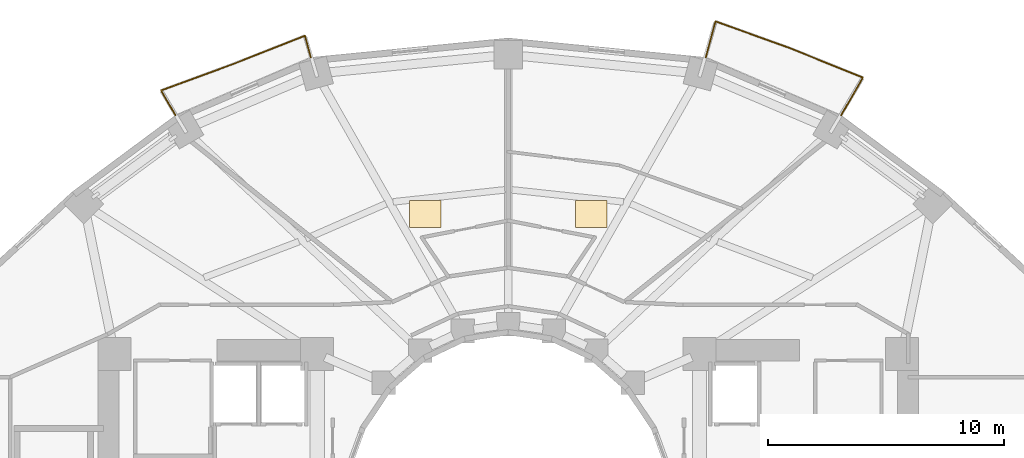
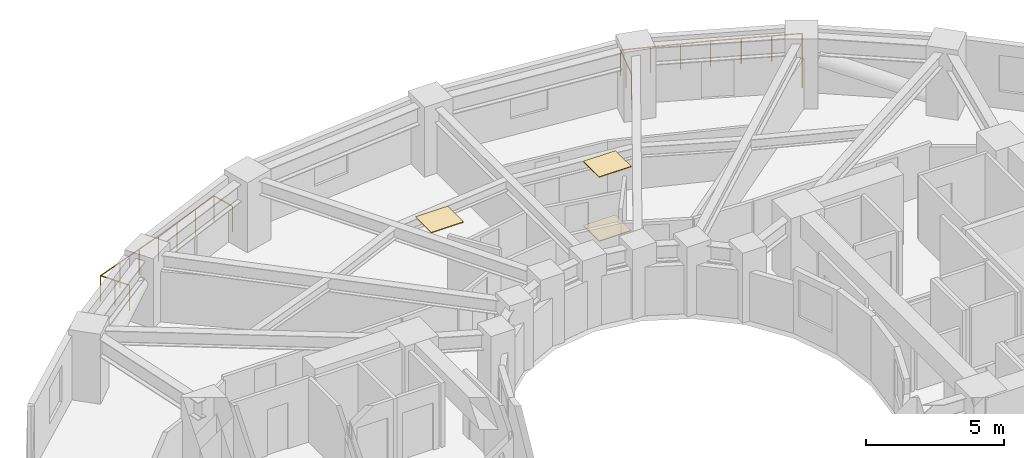
# One storey, part 10 of 10: 3 coverings, 2 railings.
"""IFC4 building model written with IfcOpenShell, lengths in metres."""

from ifc_helpers import new_model, si_unit, direction, frame, origin, origin_2d, place, context, subcontext, project, spatial, polyline, circle, outline, extrude, material, layer, layer_set, type_object, element, save


model = new_model("IFC4")

# Units and contexts
model_context = context("Model", 3, precision=1e-05, world=origin(), true_north=direction((0.0, 1.0)))
body_context = subcontext(model_context, "Body", "Model", "MODEL_VIEW")
ifc_project = project(units=[si_unit("LENGTHUNIT", "METRE"), si_unit("AREAUNIT", "SQUARE_METRE"), si_unit("VOLUMEUNIT", "CUBIC_METRE"), si_unit("PLANEANGLEUNIT", "RADIAN"), si_unit("MASSUNIT", "GRAM", prefix="KILO")], contexts=[model_context])

# Site, building, storey
site_placement = place(None, origin())
site = spatial("IfcSite", under=ifc_project, at=site_placement, CompositionType="ELEMENT")
building_placement = place(site_placement, origin())
building = spatial("IfcBuilding", under=site, at=building_placement, Name="Solvane Sanctuary Tower", CompositionType="ELEMENT")
storey_placement = place(building_placement, frame((0.0, 0.0, 30.699951171875)))
storey = spatial("IfcBuildingStorey", under=building, at=storey_placement, Name="L08", CompositionType="ELEMENT", Elevation=30.699951171875)

# Coverings
ifc_material_1 = material(Name="Acoustic Gypsum Partition Board")
ifc_layer_1 = layer(ifc_material_1, 0.02490234375, Name="Acoustic Gypsum Partition Board")
ifc_layer_set_1 = layer_set([ifc_layer_1], Name="Acoustic Gypsum Partition Board")
covering_type_1 = type_object("IfcCoveringType", Name="Covering CLG-ACOUST", PredefinedType="CEILING", material=ifc_layer_set_1)
covering_1_placement = place(storey_placement, frame((0.0, 0.0, 2.85009765625)))
element("IfcCovering", 1, at=covering_1_placement, inside=storey, type_object=covering_type_1, Name="L08 Unit Acoustic Ceiling Panel 1", PredefinedType="CEILING", context=body_context, shape_type="SweptSolid", body=[
    extrude(outline(polyline([(34.844970703125, 35.56201171875), (36.195068359375, 35.56201171875), (36.195068359375, 36.7119140625), (34.844970703125, 36.7119140625), (34.844970703125, 35.56201171875)])), origin(), (0.0, 0.0, 1.0), 0.030029296875),
])
covering_2_placement = place(storey_placement, frame((0.0, 0.0, 2.85009765625)))
element("IfcCovering", 2, at=covering_2_placement, inside=storey, type_object=covering_type_1, Name="L08 Unit Acoustic Ceiling Panel 2", PredefinedType="CEILING", context=body_context, shape_type="SweptSolid", body=[
    extrude(outline(polyline([(27.804931640625, 35.56201171875), (29.155029296875, 35.56201171875), (29.155029296875, 36.7119140625), (27.804931640625, 36.7119140625), (27.804931640625, 35.56201171875)])), origin(), (0.0, 0.0, 1.0), 0.030029296875),
])
ifc_material_2 = material(Name="Ceramic Tile Finish")
ifc_layer_2 = layer(ifc_material_2, 0.030029296875, Name="Ceramic Tile Finish")
ifc_layer_set_2 = layer_set([ifc_layer_2], Name="Ceramic Tile Finish")
covering_type_2 = type_object("IfcCoveringType", Name="Covering FLR-TERRAZZO", PredefinedType="FLOORING", material=ifc_layer_set_2)
covering_3_placement = place(storey_placement, origin())
element("IfcCovering", 3, at=covering_3_placement, inside=storey, type_object=covering_type_2, Name="L08 Unit Terrazzo Inlay 1", PredefinedType="FLOORING", context=body_context, shape_type="SweptSolid", body=[
    extrude(outline(polyline([(34.844970703125, 35.56201171875), (36.195068359375, 35.56201171875), (36.195068359375, 36.7119140625), (34.844970703125, 36.7119140625), (34.844970703125, 35.56201171875)])), origin(), (0.0, 0.0, 1.0), 0.03515625),
])

# Railings
ifc_material_3 = material(Name="Architectural Stainless Steel 316", Category="steel")
railing_type = type_object("IfcRailingType", Name="Railing GR-BALC-1150", PredefinedType="BALUSTRADE", material=ifc_material_3)
railing_1_placement = place(storey_placement, frame((46.1181640625, 40.322021484375, 0.0)))
element("IfcRailing", 4, at=railing_1_placement, inside=storey, type_object=railing_type, Name="L08 Wave Balcony Balustrade N1", PredefinedType="BALUSTRADE", context=body_context, shape_type="SweptSolid", body=[
    extrude(circle(Radius=0.02392578125, at=origin_2d()), frame((0.0, 0.0, 1.1259765625), z_axis=(0.499983153418, 0.866035129944, 0.0), x_axis=(-0.866035129944, 0.499983153418, 0.0)), (0.0, 0.0, 1.0), 1.83740234375),
    extrude(circle(Radius=0.02392578125, at=origin_2d()), frame((0.918701171875, 1.59130859375, 1.1259765625), z_axis=(-0.927416285208, 0.374030792758, 0.0), x_axis=(-0.374030792758, -0.927416285208, 0.0)), (0.0, 0.0, 1.0), 3.3623046875),
    extrude(circle(Radius=0.02392578125, at=origin_2d()), frame((-2.199462890625, 2.848876953125, 1.1259765625), z_axis=(-0.940990134822, 0.338433990857, 0.0), x_axis=(-0.338433990857, -0.940990134822, 0.0)), (0.0, 0.0, 1.0), 3.331298828125),
    extrude(circle(Radius=0.02392578125, at=origin_2d()), frame((-5.334228515625, 3.976318359375, 1.1259765625), z_axis=(-0.258860199722, -0.965914798002, 0.0), x_axis=(0.965914798002, -0.258860199722, 0.0)), (0.0, 0.0, 1.0), 1.5732421875),
    extrude(circle(Radius=0.02099609375, at=origin_2d()), origin(), (0.0, 0.0, 1.0), 1.101806640625),
    extrude(circle(Radius=0.02099609375, at=origin_2d()), frame((0.45947265625, 0.795654296875, 0.0)), (0.0, 0.0, 1.0), 1.101806640625),
    extrude(circle(Radius=0.02099609375, at=origin_2d()), frame((0.918701171875, 1.59130859375, 0.0)), (0.0, 0.0, 1.0), 1.101806640625),
    extrude(circle(Radius=0.02099609375, at=origin_2d()), frame((-0.12060546875, 2.010498046875, 0.0)), (0.0, 0.0, 1.0), 1.101806640625),
    extrude(circle(Radius=0.02099609375, at=origin_2d()), frame((-1.16015625, 2.4296875, 0.0)), (0.0, 0.0, 1.0), 1.101806640625),
    extrude(circle(Radius=0.02099609375, at=origin_2d()), frame((-2.199462890625, 2.848876953125, 0.0)), (0.0, 0.0, 1.0), 1.101806640625),
    extrude(circle(Radius=0.02099609375, at=origin_2d()), frame((-3.244384765625, 3.224609375, 0.0)), (0.0, 0.0, 1.0), 1.101806640625),
    extrude(circle(Radius=0.02099609375, at=origin_2d()), frame((-4.289306640625, 3.6005859375, 0.0)), (0.0, 0.0, 1.0), 1.101806640625),
    extrude(circle(Radius=0.02099609375, at=origin_2d()), frame((-5.334228515625, 3.976318359375, 0.0)), (0.0, 0.0, 1.0), 1.101806640625),
    extrude(circle(Radius=0.02099609375, at=origin_2d()), frame((-5.537841796875, 3.216552734375, 0.0)), (0.0, 0.0, 1.0), 1.101806640625),
    extrude(circle(Radius=0.02099609375, at=origin_2d()), frame((-5.741455078125, 2.456787109375, 0.0)), (0.0, 0.0, 1.0), 1.101806640625),
])
railing_2_placement = place(storey_placement, frame((23.623291015625, 42.77880859375, 0.0)))
element("IfcRailing", 5, at=railing_2_placement, inside=storey, type_object=railing_type, Name="L08 Wave Balcony Balustrade N2", PredefinedType="BALUSTRADE", context=body_context, shape_type="SweptSolid", body=[
    extrude(circle(Radius=0.02392578125, at=origin_2d()), frame((0.0, 0.0, 1.1259765625), z_axis=(-0.259016592134, 0.965872872069, 0.0), x_axis=(-0.965872872069, -0.259016592134, 0.0)), (0.0, 0.0, 1.0), 0.942626953125),
    extrude(circle(Radius=0.02392578125, at=origin_2d()), frame((-0.244140625, 0.910400390625, 1.1259765625), z_axis=(-0.930250511205, -0.366925041939, 0.0), x_axis=(0.366925041939, -0.930250511205, 0.0)), (0.0, 0.0, 1.0), 3.24560546875),
    extrude(circle(Radius=0.02392578125, at=origin_2d()), frame((-3.263427734375, -0.280517578125, 1.1259765625), z_axis=(-0.938757668563, -0.344578060407, 0.0), x_axis=(0.344578060407, -0.938757668563, 0.0)), (0.0, 0.0, 1.0), 3.282470703125),
    extrude(circle(Radius=0.02392578125, at=origin_2d()), frame((-6.344970703125, -1.41162109375, 1.1259765625), z_axis=(0.500055147301, -0.865993562134, 0.0), x_axis=(0.865993562134, 0.500055147301, 0.0)), (0.0, 0.0, 1.0), 1.206787109375),
    extrude(circle(Radius=0.02099609375, at=origin_2d()), origin(), (0.0, 0.0, 1.0), 1.101806640625),
    extrude(circle(Radius=0.02099609375, at=origin_2d()), frame((-0.244140625, 0.910400390625, 0.0)), (0.0, 0.0, 1.0), 1.101806640625),
    extrude(circle(Radius=0.02099609375, at=origin_2d()), frame((-1.25048828125, 0.513427734375, 0.0)), (0.0, 0.0, 1.0), 1.101806640625),
    extrude(circle(Radius=0.02099609375, at=origin_2d()), frame((-2.257080078125, 0.116455078125, 0.0)), (0.0, 0.0, 1.0), 1.101806640625),
    extrude(circle(Radius=0.02099609375, at=origin_2d()), frame((-3.263427734375, -0.280517578125, 0.0)), (0.0, 0.0, 1.0), 1.101806640625),
    extrude(circle(Radius=0.02099609375, at=origin_2d()), frame((-4.29052734375, -0.657470703125, 0.0)), (0.0, 0.0, 1.0), 1.101806640625),
    extrude(circle(Radius=0.02099609375, at=origin_2d()), frame((-5.31787109375, -1.03466796875, 0.0)), (0.0, 0.0, 1.0), 1.101806640625),
    extrude(circle(Radius=0.02099609375, at=origin_2d()), frame((-6.344970703125, -1.41162109375, 0.0)), (0.0, 0.0, 1.0), 1.101806640625),
    extrude(circle(Radius=0.02099609375, at=origin_2d()), frame((-6.043212890625, -1.93408203125, 0.0)), (0.0, 0.0, 1.0), 1.101806640625),
    extrude(circle(Radius=0.02099609375, at=origin_2d()), frame((-5.741455078125, -2.456787109375, 0.0)), (0.0, 0.0, 1.0), 1.101806640625),
])

save(model, "model.ifc")
